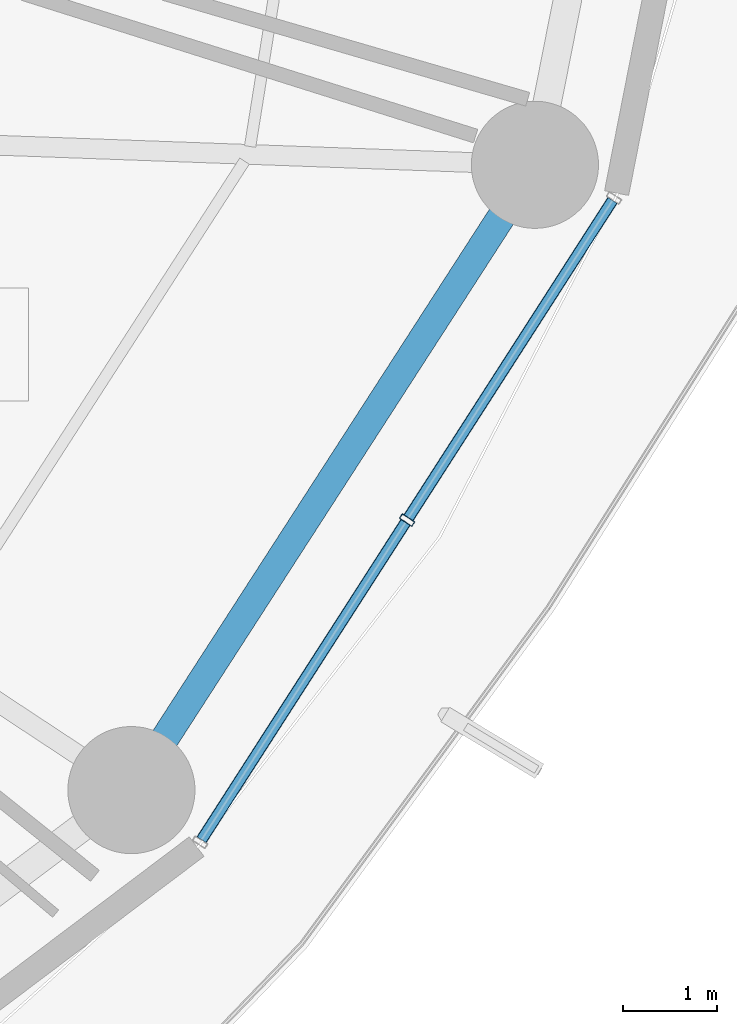
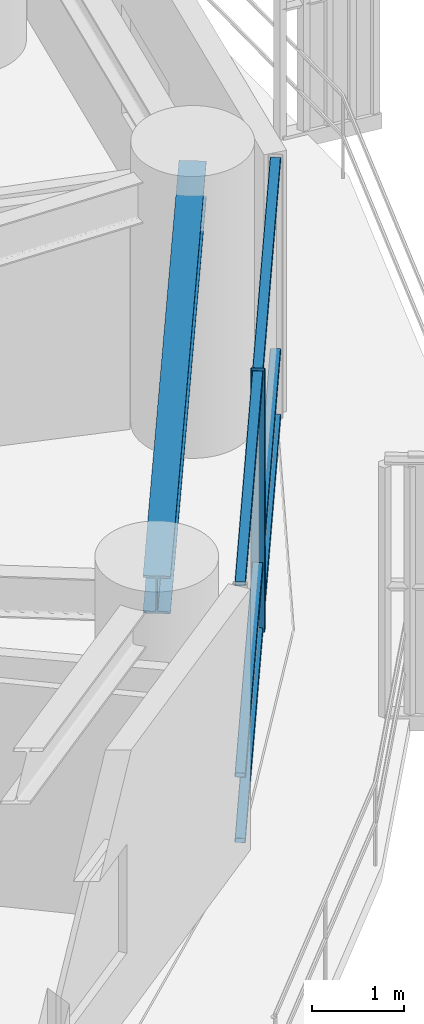
# One storey, part 13 of 36: 7 members, 1 beam, 1 element without a shape of its own.
"""IFC4 building model written with IfcOpenShell, lengths in metres."""

from ifc_helpers import new_model, si_unit, direction, frame, origin, origin_2d, place, context, subcontext, project, spatial, hollow_rectangle, i_section, extrude, material, layer, layer_set, material_profile, profile_set, type_object, element, aggregate, save


model = new_model("IFC4")

# Units and contexts
model_context = context("Model", 3, precision=1e-05, world=origin(), true_north=direction((0.0, 1.0)))
body_context = subcontext(model_context, "Body", "Model", "MODEL_VIEW")
ifc_project = project(units=[si_unit("LENGTHUNIT", "METRE"), si_unit("AREAUNIT", "SQUARE_METRE"), si_unit("VOLUMEUNIT", "CUBIC_METRE"), si_unit("PLANEANGLEUNIT", "RADIAN"), si_unit("MASSUNIT", "GRAM", prefix="KILO")], contexts=[model_context])

# Site, building, storey
site_placement = place(None, origin())
site = spatial("IfcSite", under=ifc_project, at=site_placement, CompositionType="ELEMENT")
building_placement = place(site_placement, origin())
building = spatial("IfcBuilding", under=site, at=building_placement, Name="Kelanora Arch Commons", CompositionType="ELEMENT")
storey_placement = place(building_placement, frame((0.0, 0.0, 98.85009765625)))
storey = spatial("IfcBuildingStorey", under=building, at=storey_placement, Name="L25", CompositionType="ELEMENT", Elevation=98.85009765625)

# Beam
ifc_material_1 = material(Name="Steel S355", Category="steel")
ifc_material_profile_1 = material_profile(ifc_material_1, i_section(OverallWidth=0.300048828125, OverallDepth=0.5, WebThickness=0.014404296875, FlangeThickness=0.028076171875, FilletRadius=0.027099609375, at=origin_2d()), Name="HEB500")
ifc_profile_set_1 = profile_set([ifc_material_profile_1], Name="Steel S355")
beam_type = type_object("IfcBeamType", Name="BM-SPN-Z2", PredefinedType="SPANDREL", material=ifc_profile_set_1)
beam_placement = place(storey_placement, frame((92.906005859375, 43.80712890625, 3.239990234375), z_axis=(0.542221144054, 0.840235818649, 0.0), x_axis=(-0.840235818649, 0.542221144054, 0.0)))
element("IfcBeam", 1, at=beam_placement, inside=storey, type_object=beam_type, Name="Perimeter Spandrel Beam BS-32 L25", PredefinedType="SPANDREL", context=body_context, shape_type="SweptSolid", body=[
    extrude(i_section(OverallWidth=0.300048828125, OverallDepth=0.5, WebThickness=0.014404296875, FlangeThickness=0.028076171875, FilletRadius=0.027099609375, at=origin_2d()), origin(), (0.0, 0.0, 1.0), 7.90380859375),
])

# Curtain wall, members
ifc_material_2 = material(Name="Terracotta ceramic-fritted low-E glass and aluminium", Category="masonry")
ifc_layer = layer(ifc_material_2, 0.159912109375)
ifc_layer_set = layer_set([ifc_layer], Name="Terracotta ceramic-fritted low-E glass and aluminium")
curtain_wall_type = type_object("IfcCurtainWallType", Name="CW-SYS-01", PredefinedType="NOTDEFINED", material=ifc_layer_set)
curtain_wall_placement = place(storey_placement, origin())
curtain_wall = element("IfcCurtainWall", 2, at=curtain_wall_placement, inside=storey, type_object=curtain_wall_type, Name="Unitised Curtain Wall L25-B16", PredefinedType="NOTDEFINED")
ifc_material_3 = material(Name="Powder-coated aluminium terracotta", Category="masonry")
ifc_material_profile_2 = material_profile(ifc_material_3, hollow_rectangle(XDim=0.159912109375, YDim=0.06005859375, WallThickness=0.0048828125, InnerFilletRadius=0.0048828125, OuterFilletRadius=0.010009765625, at=origin_2d()), Name="CWM160x60")
ifc_profile_set_2 = profile_set([ifc_material_profile_2], Name="Powder-coated aluminium terracotta")
member_type_1 = type_object("IfcMemberType", Name="CWM-STD", PredefinedType="MULLION", material=ifc_profile_set_2)
member_1_placement = place(storey_placement, frame((95.83349609375, 46.6748046875, 0.0), z_axis=(0.0, 0.0, 1.0), x_axis=(-0.841268883088, 0.540616931244, 0.0)))
member_1 = element("IfcMember", 3, at=member_1_placement, type_object=member_type_1, Name="CW-01 mullion 2", PredefinedType="MULLION", context=body_context, shape_type="SweptSolid", body=[
    extrude(hollow_rectangle(XDim=0.159912109375, YDim=0.06005859375, WallThickness=0.0048828125, InnerFilletRadius=0.0048828125, OuterFilletRadius=0.010009765625, at=origin_2d()), origin(), (0.0, 0.0, 1.0), 3.474853515625),
])
ifc_material_profile_3 = material_profile(ifc_material_3, hollow_rectangle(XDim=0.1201171875, YDim=0.06005859375, WallThickness=0.0048828125, InnerFilletRadius=0.0048828125, OuterFilletRadius=0.010009765625, at=origin_2d()), Name="CWT120x60")
ifc_profile_set_3 = profile_set([ifc_material_profile_3], Name="Powder-coated aluminium terracotta")
member_type_2 = type_object("IfcMemberType", Name="CWT-STD", PredefinedType="USERDEFINED", material=ifc_profile_set_3)
member_2_placement = place(storey_placement, frame((93.651123046875, 43.279052734375, 0.02978515625), z_axis=(0.540643629734, 0.841251725483, 0.0), x_axis=(-0.841251725483, 0.540643629734, 0.0)))
member_2 = element("IfcMember", 4, at=member_2_placement, type_object=member_type_2, Name="CW-01 transom 1.1", ObjectType="TRANSOM", PredefinedType="USERDEFINED", context=body_context, shape_type="SweptSolid", body=[
    extrude(hollow_rectangle(XDim=0.1201171875, YDim=0.06005859375, WallThickness=0.0048828125, InnerFilletRadius=0.0048828125, OuterFilletRadius=0.010009765625, at=origin_2d()), origin(), (0.0, 0.0, 1.0), 4.00634765625),
])
member_3_placement = place(storey_placement, frame((93.651123046875, 43.279052734375, 0.89990234375), z_axis=(0.540643629734, 0.841251725483, 0.0), x_axis=(-0.841251725483, 0.540643629734, 0.0)))
member_3 = element("IfcMember", 5, at=member_3_placement, type_object=member_type_2, Name="CW-01 transom 1.2", ObjectType="TRANSOM", PredefinedType="USERDEFINED", context=body_context, shape_type="SweptSolid", body=[
    extrude(hollow_rectangle(XDim=0.1201171875, YDim=0.06005859375, WallThickness=0.0048828125, InnerFilletRadius=0.0048828125, OuterFilletRadius=0.010009765625, at=origin_2d()), origin(), (0.0, 0.0, 1.0), 4.00634765625),
])
member_4_placement = place(storey_placement, frame((93.651123046875, 43.279052734375, 3.44482421875), z_axis=(0.540643629734, 0.841251725483, 0.0), x_axis=(-0.841251725483, 0.540643629734, 0.0)))
member_4 = element("IfcMember", 6, at=member_4_placement, type_object=member_type_2, Name="CW-01 transom 1.3", ObjectType="TRANSOM", PredefinedType="USERDEFINED", context=body_context, shape_type="SweptSolid", body=[
    extrude(hollow_rectangle(XDim=0.1201171875, YDim=0.06005859375, WallThickness=0.0048828125, InnerFilletRadius=0.0048828125, OuterFilletRadius=0.010009765625, at=origin_2d()), origin(), (0.0, 0.0, 1.0), 4.00634765625),
])
member_5_placement = place(storey_placement, frame((95.849609375, 46.699951171875, 0.02978515625), z_axis=(0.540643629734, 0.841251725483, 0.0), x_axis=(-0.841251725483, 0.540643629734, 0.0)))
member_5 = element("IfcMember", 7, at=member_5_placement, type_object=member_type_2, Name="CW-01 transom 2.1", ObjectType="TRANSOM", PredefinedType="USERDEFINED", context=body_context, shape_type="SweptSolid", body=[
    extrude(hollow_rectangle(XDim=0.1201171875, YDim=0.06005859375, WallThickness=0.0048828125, InnerFilletRadius=0.0048828125, OuterFilletRadius=0.010009765625, at=origin_2d()), origin(), (0.0, 0.0, 1.0), 4.00634765625),
])
member_6_placement = place(storey_placement, frame((95.849609375, 46.699951171875, 0.89990234375), z_axis=(0.540643629734, 0.841251725483, 0.0), x_axis=(-0.841251725483, 0.540643629734, 0.0)))
member_6 = element("IfcMember", 8, at=member_6_placement, type_object=member_type_2, Name="CW-01 transom 2.2", ObjectType="TRANSOM", PredefinedType="USERDEFINED", context=body_context, shape_type="SweptSolid", body=[
    extrude(hollow_rectangle(XDim=0.1201171875, YDim=0.06005859375, WallThickness=0.0048828125, InnerFilletRadius=0.0048828125, OuterFilletRadius=0.010009765625, at=origin_2d()), origin(), (0.0, 0.0, 1.0), 4.00634765625),
])
member_7_placement = place(storey_placement, frame((95.849609375, 46.699951171875, 3.44482421875), z_axis=(0.540643629734, 0.841251725483, 0.0), x_axis=(-0.841251725483, 0.540643629734, 0.0)))
member_7 = element("IfcMember", 9, at=member_7_placement, type_object=member_type_2, Name="CW-01 transom 2.3", ObjectType="TRANSOM", PredefinedType="USERDEFINED", context=body_context, shape_type="SweptSolid", body=[
    extrude(hollow_rectangle(XDim=0.1201171875, YDim=0.06005859375, WallThickness=0.0048828125, InnerFilletRadius=0.0048828125, OuterFilletRadius=0.010009765625, at=origin_2d()), origin(), (0.0, 0.0, 1.0), 4.00634765625),
])
aggregate(curtain_wall, [member_1, member_2, member_3, member_4, member_5, member_6, member_7])

save(model, "model.ifc")
